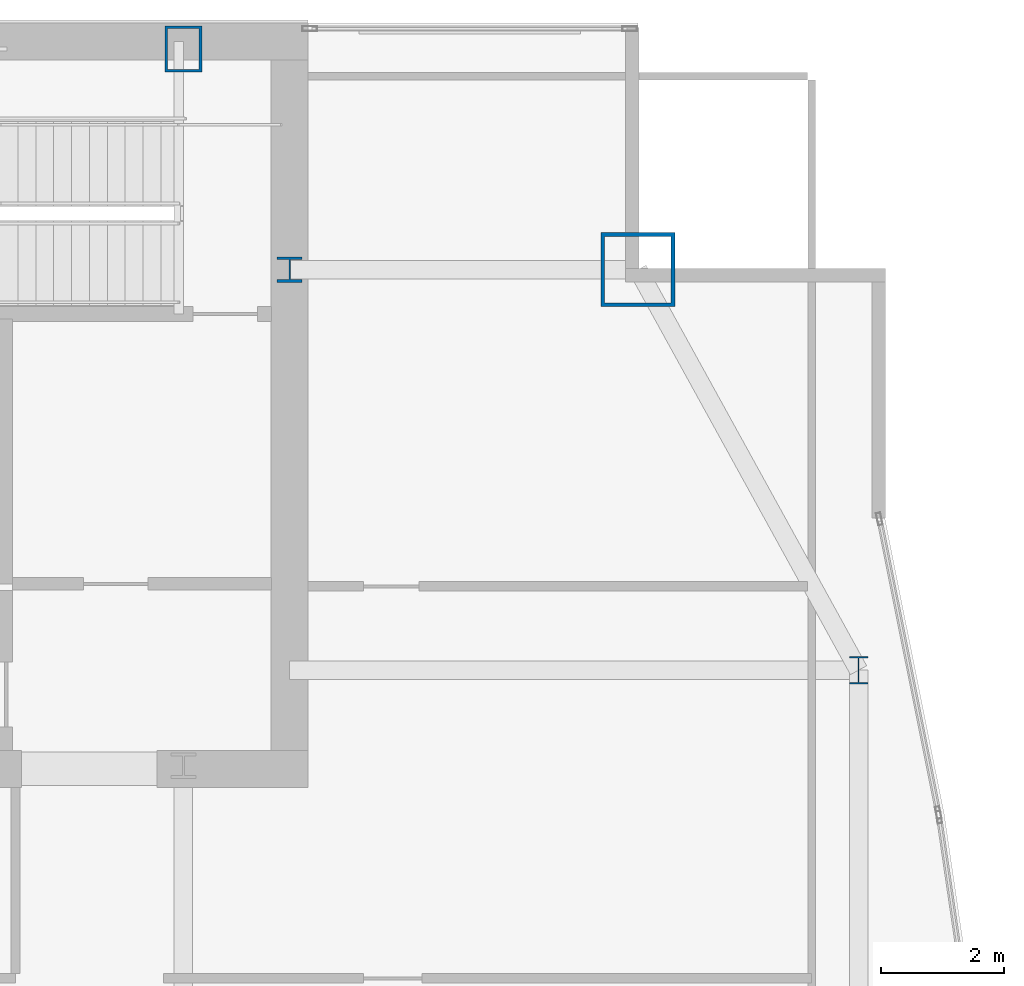
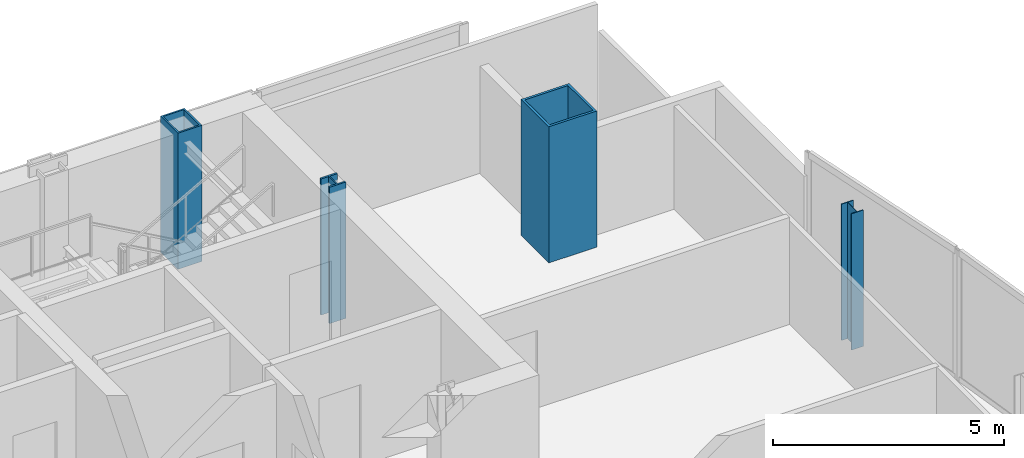
# One storey, part 4 of 30: 4 columns.
"""IFC4 building model written with IfcOpenShell, lengths in metres."""

from ifc_helpers import new_model, si_unit, direction, frame, origin, origin_2d, place, context, subcontext, project, spatial, hollow_rectangle, i_section, extrude, material, material_profile, profile_set, type_object, element, save


model = new_model("IFC4")

# Units and contexts
model_context = context("Model", 3, precision=1e-05, world=origin(), true_north=direction((0.0, 1.0)))
body_context = subcontext(model_context, "Body", "Model", "MODEL_VIEW")
ifc_project = project(units=[si_unit("LENGTHUNIT", "METRE"), si_unit("AREAUNIT", "SQUARE_METRE"), si_unit("VOLUMEUNIT", "CUBIC_METRE"), si_unit("PLANEANGLEUNIT", "RADIAN"), si_unit("MASSUNIT", "GRAM", prefix="KILO")], contexts=[model_context])

# Site, building, storey
site_placement = place(None, origin())
site = spatial("IfcSite", under=ifc_project, at=site_placement, CompositionType="ELEMENT")
building_placement = place(site_placement, origin())
building = spatial("IfcBuilding", under=site, at=building_placement, Name="Khoronbel Lancet Exchange", CompositionType="ELEMENT")
storey_placement = place(building_placement, frame((0.0, 0.0, 206.60009765625)))
storey = spatial("IfcBuildingStorey", under=building, at=storey_placement, Name="L52", CompositionType="ELEMENT", Elevation=206.60009765625)

# Columns
ifc_material_1 = material(Name="Steel S460", Category="steel")
ifc_material_profile_1 = material_profile(ifc_material_1, hollow_rectangle(XDim=0.60009765625, YDim=0.75, WallThickness=0.044921875, at=origin_2d()), Name="BOX 750x600x45")
ifc_profile_set_1 = profile_set([ifc_material_profile_1], Name="Steel S460")
column_type_1 = type_object("IfcColumnType", Name="COL-EC3", PredefinedType="COLUMN", material=ifc_profile_set_1)
column_1_placement = place(storey_placement, frame((54.675048828125, 53.280029296875, 0.0), z_axis=(0.0, 0.0, 1.0), x_axis=(1.0, 0.0, 0.0)))
element("IfcColumn", 1, at=column_1_placement, inside=storey, type_object=column_type_1, Name="Structural column NC-E2 L52", PredefinedType="COLUMN", context=body_context, shape_type="SweptSolid", body=[
    extrude(hollow_rectangle(XDim=0.60009765625, YDim=0.75, WallThickness=0.044921875, at=origin_2d()), origin(), (0.0, 0.0, 1.0), 3.599853515625),
])
ifc_material_2 = material(Name="Steel S355", Category="steel")
ifc_material_profile_2 = material_profile(ifc_material_2, i_section(OverallWidth=0.406005859375, OverallDepth=0.416015625, WebThickness=0.02978515625, FlangeThickness=0.048095703125, at=origin_2d()), Name="HD 400x382")
ifc_profile_set_2 = profile_set([ifc_material_profile_2], Name="Steel S355")
column_type_2 = type_object("IfcColumnType", Name="COL-IC3", PredefinedType="COLUMN", material=ifc_profile_set_2)
column_2_placement = place(storey_placement, frame((56.39990234375, 49.699951171875, 0.0), z_axis=(0.0, 0.0, 1.0), x_axis=(1.0, 0.0, 0.0)))
element("IfcColumn", 2, at=column_2_placement, inside=storey, type_object=column_type_2, Name="Core-flank plumb transfer column CFE L52", PredefinedType="COLUMN", context=body_context, shape_type="SweptSolid", body=[
    extrude(i_section(OverallWidth=0.406005859375, OverallDepth=0.416015625, WebThickness=0.02978515625, FlangeThickness=0.048095703125, at=origin_2d()), origin(), (0.0, 0.0, 1.0), 3.599853515625),
])
ifc_material_profile_3 = material_profile(ifc_material_2, i_section(OverallWidth=0.300048828125, OverallDepth=0.449951171875, WebThickness=0.013916015625, FlangeThickness=0.02587890625, at=origin_2d()), Name="HEB 450")
ifc_profile_set_3 = profile_set([ifc_material_profile_3], Name="Steel S355")
column_type_3 = type_object("IfcColumnType", Name="COL-LC2", PredefinedType="COLUMN", material=ifc_profile_set_3)
column_3_placement = place(storey_placement, frame((65.6298828125, 43.199951171875, 0.0), z_axis=(0.0, 0.0, 1.0), x_axis=(1.0, 0.0, 0.0)))
element("IfcColumn", 3, at=column_3_placement, inside=storey, type_object=column_type_3, Name="Structural column EC-4 L52", PredefinedType="COLUMN", context=body_context, shape_type="SweptSolid", body=[
    extrude(i_section(OverallWidth=0.300048828125, OverallDepth=0.449951171875, WebThickness=0.013916015625, FlangeThickness=0.02587890625, at=origin_2d()), origin(), (0.0, 0.0, 1.0), 3.599853515625),
])
ifc_material_profile_4 = material_profile(ifc_material_1, hollow_rectangle(XDim=1.199951171875, YDim=1.199951171875, WallThickness=0.06005859375, at=origin_2d()), Name="BOX 1200x1200x60")
ifc_profile_set_4 = profile_set([ifc_material_profile_4], Name="Steel S460")
column_type_4 = type_object("IfcColumnType", Name="COL-MC5", PredefinedType="COLUMN", material=ifc_profile_set_4)
column_4_placement = place(storey_placement, frame((62.050048828125, 49.699951171875, 0.0), z_axis=(0.0, 0.0, 1.0), x_axis=(1.0, 0.0, 0.0)))
element("IfcColumn", 4, at=column_4_placement, inside=storey, type_object=column_type_4, Name="Structural column MC-NE L52", PredefinedType="COLUMN", context=body_context, shape_type="SweptSolid", body=[
    extrude(hollow_rectangle(XDim=1.199951171875, YDim=1.199951171875, WallThickness=0.06005859375, at=origin_2d()), origin(), (0.0, 0.0, 1.0), 3.599853515625),
])

save(model, "model.ifc")
